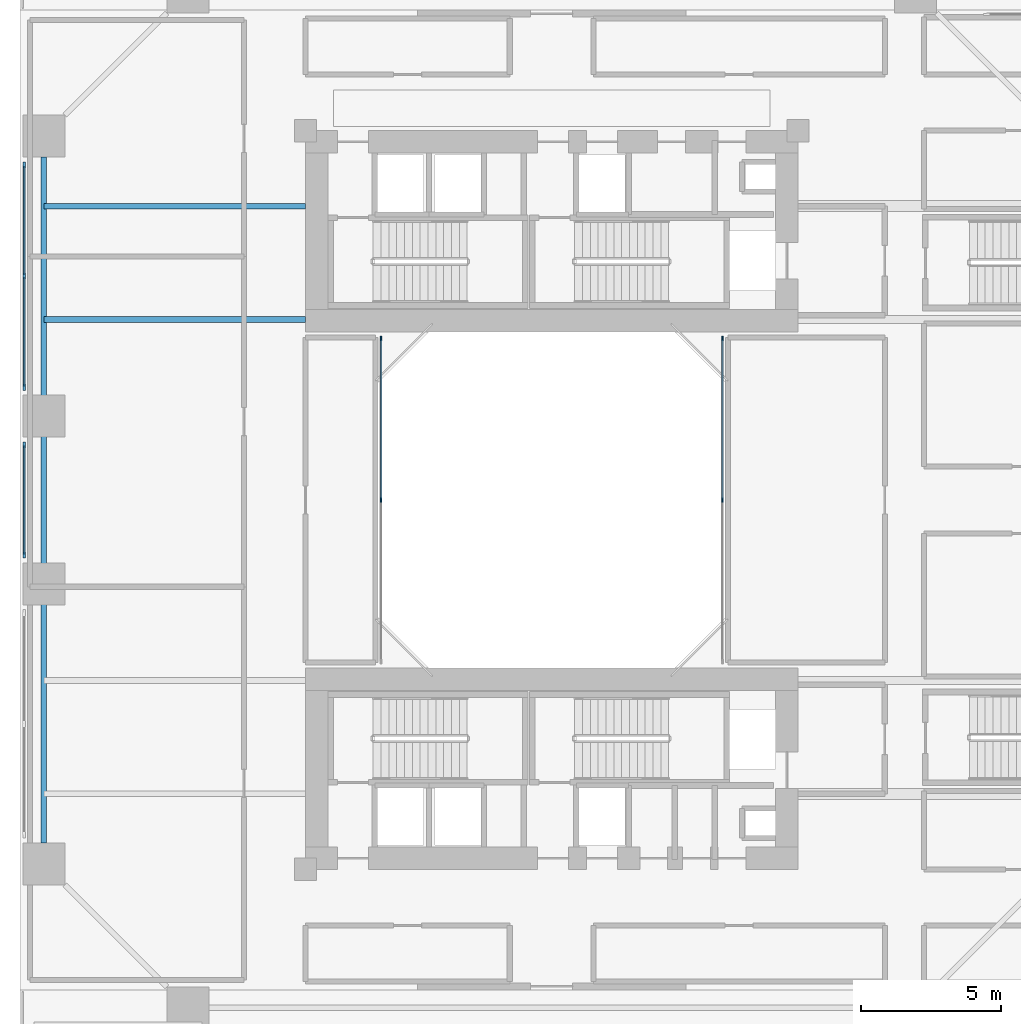
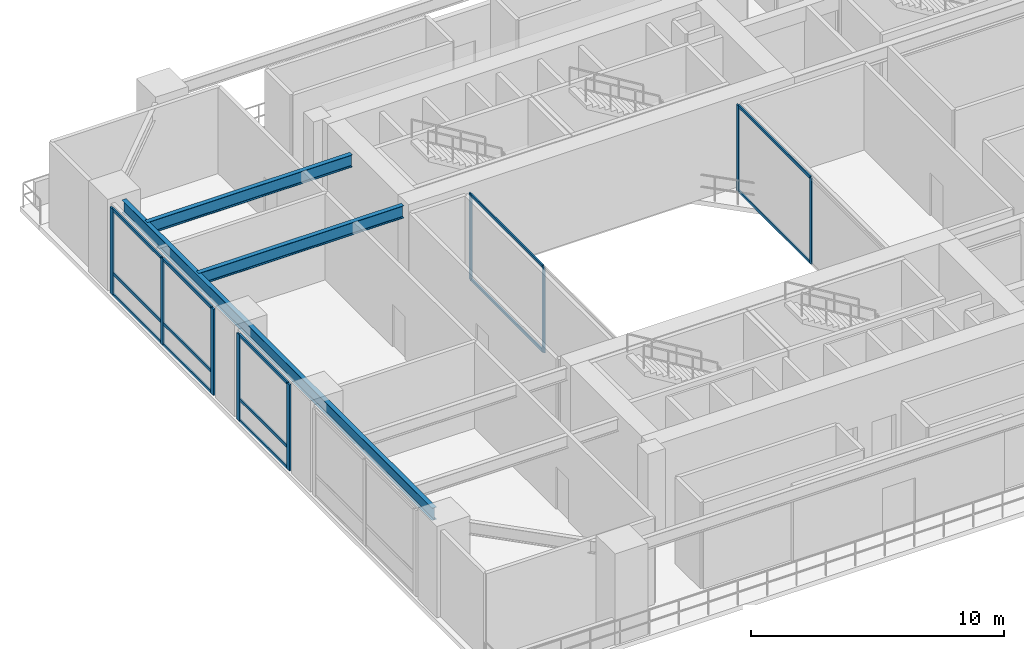
# One storey, part 4 of 20: 22 members, 3 beams, 4 elements without a shape of their own.
"""IFC4 building model written with IfcOpenShell, lengths in metres."""

from ifc_helpers import new_model, si_unit, direction, frame, origin, origin_2d, place, context, subcontext, project, spatial, rectangle, i_section, extrude, source, transform, mapped, material, layer, layer_set, material_profile, profile_set, type_object, element, aggregate, save


model = new_model("IFC4")

# Units and contexts
model_context = context("Model", 3, precision=1e-05, world=origin(), true_north=direction((0.0, 1.0)))
body_context = subcontext(model_context, "Body", "Model", "MODEL_VIEW")
ifc_project = project(units=[si_unit("LENGTHUNIT", "METRE"), si_unit("AREAUNIT", "SQUARE_METRE"), si_unit("VOLUMEUNIT", "CUBIC_METRE"), si_unit("PLANEANGLEUNIT", "RADIAN"), si_unit("MASSUNIT", "GRAM", prefix="KILO"), si_unit("THERMODYNAMICTEMPERATUREUNIT", "KELVIN"), si_unit("POWERUNIT", "WATT")], contexts=[model_context])

# Site, building, storey
site_placement = place(None, origin())
site = spatial("IfcSite", under=ifc_project, at=site_placement, CompositionType="ELEMENT")
building_placement = place(site_placement, origin())
building = spatial("IfcBuilding", under=site, at=building_placement, Name="Qiaomeng Ring Towers", CompositionType="ELEMENT")
storey_placement = place(building_placement, frame((0.0, 0.0, 13.800048828125)))
storey = spatial("IfcBuildingStorey", under=building, at=storey_placement, Name="L03", CompositionType="ELEMENT", Elevation=13.800048828125)

# Beams
ifc_material_1 = material(Name="Steel Q355B", Category="steel")
ifc_material_profile_1 = material_profile(ifc_material_1, i_section(OverallWidth=0.199951171875, OverallDepth=0.60009765625, WebThickness=0.010986328125, FlangeThickness=0.01708984375, FilletRadius=0.02197265625, at=origin_2d()), Name="HN 600x200x11x17")
ifc_profile_set_1 = profile_set([ifc_material_profile_1], Name="Steel Q355B")
beam_type = type_object("IfcBeamType", Name="STR-BM-HN600", PredefinedType="BEAM", material=ifc_profile_set_1)
shared_shape_1 = source(origin(), body_context, "Body", "SweptSolid", [
    extrude(i_section(OverallWidth=0.199951171875, OverallDepth=0.60009765625, WebThickness=0.010986328125, FlangeThickness=0.01708984375, FilletRadius=0.02197265625, at=origin_2d()), origin(), (0.0, 0.0, 1.0), 24.501953125),
])
beam_placement = place(storey_placement, frame((0.85009765625, 10.7490234375, 3.849853515625), z_axis=(0.0, 1.0, 0.0), x_axis=(-1.0, 0.0, 0.0)))
element("IfcBeam", 1, at=beam_placement, inside=storey, type_object=beam_type, Name="L03 beam STR-SP-L03-WL", PredefinedType="BEAM", context=body_context, shape_type="MappedRepresentation", body=[
    mapped(shared_shape_1, transform((0.0, 0.0, 0.0), x_axis=(1.0, 0.0, 0.0), y_axis=(0.0, 1.0, 0.0), z_axis=(0.0, 0.0, 1.0), scale=1.0)),
])
shared_shape_2 = source(origin(), body_context, "Body", "SweptSolid", [
    extrude(i_section(OverallWidth=0.199951171875, OverallDepth=0.60009765625, WebThickness=0.010986328125, FlangeThickness=0.01708984375, FilletRadius=0.02197265625, at=origin_2d()), origin(), (0.0, 0.0, 1.0), 9.349853515625),
])
for number, where, z_axis, x_axis, name in (
    (2, (0.85009765625, 29.449951171875, 3.849853515625), (1.0, 0.0, 0.0), (0.0, 1.0, 0.0), "L03 beam STR-BM-L03-W-2"),
    (3, (0.85009765625, 33.5, 3.849853515625), (1.0, 0.0, 0.0), (0.0, 1.0, 0.0), "L03 beam STR-BM-L03-W-3"),
):
    element("IfcBeam", number, at=place(storey_placement, frame(where, z_axis=z_axis, x_axis=x_axis)), inside=storey, type_object=beam_type, Name=name, PredefinedType="BEAM", context=body_context, shape_type="MappedRepresentation", body=[
        mapped(shared_shape_2, transform((0.0, 0.0, 0.0), x_axis=(1.0, 0.0, 0.0), y_axis=(0.0, 1.0, 0.0), z_axis=(0.0, 0.0, 1.0), scale=1.0)),
    ])

# Curtain wall, members
ifc_material_2 = material(Name="Fluorocarbon dark-grey aluminium", Category="aluminium")
ifc_layer_1 = layer(ifc_material_2, 0.179931640625, Name="Fluorocarbon dark-grey aluminium")
ifc_layer_set_1 = layer_set([ifc_layer_1], Name="Fluorocarbon dark-grey aluminium")
curtain_wall_type_1 = type_object("IfcCurtainWallType", Name="ARC-CW-1", PredefinedType="NOTDEFINED", material=ifc_layer_set_1)
curtain_wall_1_placement = place(storey_placement, origin())
curtain_wall_1 = element("IfcCurtainWall", 4, at=curtain_wall_1_placement, inside=storey, type_object=curtain_wall_type_1, Name="L03 Curtain Wall CW1", PredefinedType="NOTDEFINED")
ifc_material_profile_2 = material_profile(ifc_material_2, rectangle(XDim=0.070068359375, YDim=0.139892578125, at=origin_2d()), Name="ALU TRAN 70x140")
ifc_profile_set_2 = profile_set([ifc_material_profile_2], Name="Fluorocarbon dark-grey aluminium")
member_type_1 = type_object("IfcMemberType", Name="ARC-CWT-140", PredefinedType="USERDEFINED", material=ifc_profile_set_2)
shared_shape_3 = source(origin(), body_context, "Body", "SweptSolid", [
    extrude(rectangle(XDim=0.070068359375, YDim=0.139892578125, at=origin_2d()), origin(), (0.0, 0.0, 1.0), 3.889892578125),
])
member_1_placement = place(storey_placement, frame((0.14990234375, 27.070068359375, 0.034912109375), z_axis=(0.0, 1.0, 0.0), x_axis=(-1.0, 0.0, 0.0)))
member_1 = element("IfcMember", 5, at=member_1_placement, type_object=member_type_1, Name="CW1 transom 1.1", ObjectType="TRANSOM", PredefinedType="USERDEFINED", context=body_context, shape_type="MappedRepresentation", body=[
    mapped(shared_shape_3, transform((0.0, 0.0, 0.0), x_axis=(1.0, 0.0, 0.0), y_axis=(0.0, 1.0, 0.0), z_axis=(0.0, 0.0, 1.0), scale=1.0)),
])
member_2_placement = place(storey_placement, frame((0.14990234375, 27.070068359375, 1.050048828125), z_axis=(0.0, 1.0, 0.0), x_axis=(-1.0, 0.0, 0.0)))
member_2 = element("IfcMember", 6, at=member_2_placement, type_object=member_type_1, Name="CW1 transom 1.2", ObjectType="TRANSOM", PredefinedType="USERDEFINED", context=body_context, shape_type="MappedRepresentation", body=[
    mapped(shared_shape_3, transform((0.0, 0.0, 0.0), x_axis=(1.0, 0.0, 0.0), y_axis=(0.0, 1.0, 0.0), z_axis=(0.0, 0.0, 1.0), scale=1.0)),
])
member_3_placement = place(storey_placement, frame((0.14990234375, 27.070068359375, 4.114990234375), z_axis=(0.0, 1.0, 0.0), x_axis=(-1.0, 0.0, 0.0)))
member_3 = element("IfcMember", 7, at=member_3_placement, type_object=member_type_1, Name="CW1 transom 1.3", ObjectType="TRANSOM", PredefinedType="USERDEFINED", context=body_context, shape_type="MappedRepresentation", body=[
    mapped(shared_shape_3, transform((0.0, 0.0, 0.0), x_axis=(1.0, 0.0, 0.0), y_axis=(0.0, 1.0, 0.0), z_axis=(0.0, 0.0, 1.0), scale=1.0)),
])
member_4_placement = place(storey_placement, frame((0.14990234375, 31.0400390625, 0.034912109375), z_axis=(0.0, 1.0, 0.0), x_axis=(-1.0, 0.0, 0.0)))
member_4 = element("IfcMember", 8, at=member_4_placement, type_object=member_type_1, Name="CW1 transom 2.1", ObjectType="TRANSOM", PredefinedType="USERDEFINED", context=body_context, shape_type="MappedRepresentation", body=[
    mapped(shared_shape_3, transform((0.0, 0.0, 0.0), x_axis=(1.0, 0.0, 0.0), y_axis=(0.0, 1.0, 0.0), z_axis=(0.0, 0.0, 1.0), scale=1.0)),
])
member_5_placement = place(storey_placement, frame((0.14990234375, 31.0400390625, 1.050048828125), z_axis=(0.0, 1.0, 0.0), x_axis=(-1.0, 0.0, 0.0)))
member_5 = element("IfcMember", 9, at=member_5_placement, type_object=member_type_1, Name="CW1 transom 2.2", ObjectType="TRANSOM", PredefinedType="USERDEFINED", context=body_context, shape_type="MappedRepresentation", body=[
    mapped(shared_shape_3, transform((0.0, 0.0, 0.0), x_axis=(1.0, 0.0, 0.0), y_axis=(0.0, 1.0, 0.0), z_axis=(0.0, 0.0, 1.0), scale=1.0)),
])
member_6_placement = place(storey_placement, frame((0.14990234375, 31.0400390625, 4.114990234375), z_axis=(0.0, 1.0, 0.0), x_axis=(-1.0, 0.0, 0.0)))
member_6 = element("IfcMember", 10, at=member_6_placement, type_object=member_type_1, Name="CW1 transom 2.3", ObjectType="TRANSOM", PredefinedType="USERDEFINED", context=body_context, shape_type="MappedRepresentation", body=[
    mapped(shared_shape_3, transform((0.0, 0.0, 0.0), x_axis=(1.0, 0.0, 0.0), y_axis=(0.0, 1.0, 0.0), z_axis=(0.0, 0.0, 1.0), scale=1.0)),
])

curtain_wall_2_placement = place(storey_placement, origin())
curtain_wall_2 = element("IfcCurtainWall", 11, at=curtain_wall_2_placement, inside=storey, type_object=curtain_wall_type_1, Name="L03 Curtain Wall CW1", PredefinedType="NOTDEFINED")
shared_shape_4 = source(origin(), body_context, "Body", "SweptSolid", [
    extrude(rectangle(XDim=0.070068359375, YDim=0.139892578125, at=origin_2d()), origin(), (0.0, 0.0, 1.0), 3.85986328125),
])
member_7_placement = place(storey_placement, frame((0.14990234375, 21.070068359375, 0.034912109375), z_axis=(0.0, 1.0, 0.0), x_axis=(-1.0, 0.0, 0.0)))
member_7 = element("IfcMember", 12, at=member_7_placement, type_object=member_type_1, Name="CW1 transom 1.1", ObjectType="TRANSOM", PredefinedType="USERDEFINED", context=body_context, shape_type="MappedRepresentation", body=[
    mapped(shared_shape_4, transform((0.0, 0.0, 0.0), x_axis=(1.0, 0.0, 0.0), y_axis=(0.0, 1.0, 0.0), z_axis=(0.0, 0.0, 1.0), scale=1.0)),
])
member_8_placement = place(storey_placement, frame((0.14990234375, 21.070068359375, 1.050048828125), z_axis=(0.0, 1.0, 0.0), x_axis=(-1.0, 0.0, 0.0)))
member_8 = element("IfcMember", 13, at=member_8_placement, type_object=member_type_1, Name="CW1 transom 1.2", ObjectType="TRANSOM", PredefinedType="USERDEFINED", context=body_context, shape_type="MappedRepresentation", body=[
    mapped(shared_shape_4, transform((0.0, 0.0, 0.0), x_axis=(1.0, 0.0, 0.0), y_axis=(0.0, 1.0, 0.0), z_axis=(0.0, 0.0, 1.0), scale=1.0)),
])
member_9_placement = place(storey_placement, frame((0.14990234375, 21.070068359375, 4.114990234375), z_axis=(0.0, 1.0, 0.0), x_axis=(-1.0, 0.0, 0.0)))
member_9 = element("IfcMember", 14, at=member_9_placement, type_object=member_type_1, Name="CW1 transom 1.3", ObjectType="TRANSOM", PredefinedType="USERDEFINED", context=body_context, shape_type="MappedRepresentation", body=[
    mapped(shared_shape_4, transform((0.0, 0.0, 0.0), x_axis=(1.0, 0.0, 0.0), y_axis=(0.0, 1.0, 0.0), z_axis=(0.0, 0.0, 1.0), scale=1.0)),
])

ifc_layer_2 = layer(ifc_material_2, 0.139892578125, Name="Fluorocarbon dark-grey aluminium")
ifc_layer_set_2 = layer_set([ifc_layer_2], Name="Fluorocarbon dark-grey aluminium")
curtain_wall_type_2 = type_object("IfcCurtainWallType", Name="ARC-CW-4", PredefinedType="NOTDEFINED", material=ifc_layer_set_2)
curtain_wall_3_placement = place(storey_placement, origin())
curtain_wall_3 = element("IfcCurtainWall", 15, at=curtain_wall_3_placement, inside=storey, type_object=curtain_wall_type_2, Name="L03 Curtain Wall CW4", PredefinedType="NOTDEFINED")
ifc_material_profile_3 = material_profile(ifc_material_2, rectangle(XDim=0.06494140625, YDim=0.1298828125, at=origin_2d()), Name="ALU TRAN 65x130")
ifc_profile_set_3 = profile_set([ifc_material_profile_3], Name="Fluorocarbon dark-grey aluminium")
member_type_2 = type_object("IfcMemberType", Name="ARC-CWT-120", PredefinedType="USERDEFINED", material=ifc_profile_set_3)
shared_shape_5 = source(origin(), body_context, "Body", "SweptSolid", [
    extrude(rectangle(XDim=0.06494140625, YDim=0.1298828125, at=origin_2d()), origin(), (0.0, 0.0, 1.0), 5.70263671875),
])
member_10_placement = place(storey_placement, frame((12.89990234375, 23.032470703125, 0.032470703125), z_axis=(0.0, 1.0, 0.0), x_axis=(-1.0, 0.0, 0.0)))
member_10 = element("IfcMember", 16, at=member_10_placement, type_object=member_type_2, Name="CW4 transom 2.1", ObjectType="TRANSOM", PredefinedType="USERDEFINED", context=body_context, shape_type="MappedRepresentation", body=[
    mapped(shared_shape_5, transform((0.0, 0.0, 0.0), x_axis=(1.0, 0.0, 0.0), y_axis=(0.0, 1.0, 0.0), z_axis=(0.0, 0.0, 1.0), scale=1.0)),
])
member_11_placement = place(storey_placement, frame((12.89990234375, 23.032470703125, 4.117431640625), z_axis=(0.0, 1.0, 0.0), x_axis=(-1.0, 0.0, 0.0)))
member_11 = element("IfcMember", 17, at=member_11_placement, type_object=member_type_2, Name="CW4 transom 2.2", ObjectType="TRANSOM", PredefinedType="USERDEFINED", context=body_context, shape_type="MappedRepresentation", body=[
    mapped(shared_shape_5, transform((0.0, 0.0, 0.0), x_axis=(1.0, 0.0, 0.0), y_axis=(0.0, 1.0, 0.0), z_axis=(0.0, 0.0, 1.0), scale=1.0)),
])

curtain_wall_4_placement = place(storey_placement, origin())
curtain_wall_4 = element("IfcCurtainWall", 18, at=curtain_wall_4_placement, inside=storey, type_object=curtain_wall_type_2, Name="L03 Curtain Wall CW4", PredefinedType="NOTDEFINED")
member_12_placement = place(storey_placement, frame((25.10009765625, 23.032470703125, 0.032470703125), z_axis=(0.0, 1.0, 0.0), x_axis=(-1.0, 0.0, 0.0)))
member_12 = element("IfcMember", 19, at=member_12_placement, type_object=member_type_2, Name="CW4 transom 2.1", ObjectType="TRANSOM", PredefinedType="USERDEFINED", context=body_context, shape_type="MappedRepresentation", body=[
    mapped(shared_shape_5, transform((0.0, 0.0, 0.0), x_axis=(1.0, 0.0, 0.0), y_axis=(0.0, 1.0, 0.0), z_axis=(0.0, 0.0, 1.0), scale=1.0)),
])
member_13_placement = place(storey_placement, frame((25.10009765625, 23.032470703125, 4.117431640625), z_axis=(0.0, 1.0, 0.0), x_axis=(-1.0, 0.0, 0.0)))
member_13 = element("IfcMember", 20, at=member_13_placement, type_object=member_type_2, Name="CW4 transom 2.2", ObjectType="TRANSOM", PredefinedType="USERDEFINED", context=body_context, shape_type="MappedRepresentation", body=[
    mapped(shared_shape_5, transform((0.0, 0.0, 0.0), x_axis=(1.0, 0.0, 0.0), y_axis=(0.0, 1.0, 0.0), z_axis=(0.0, 0.0, 1.0), scale=1.0)),
])

# Member
ifc_material_profile_4 = material_profile(ifc_material_2, rectangle(XDim=0.080078125, YDim=0.219970703125, at=origin_2d()), Name="ALU MULL 80x220")
ifc_profile_set_4 = profile_set([ifc_material_profile_4], Name="Fluorocarbon dark-grey aluminium")
member_type_3 = type_object("IfcMemberType", Name="ARC-CWM-180", PredefinedType="MULLION", material=ifc_profile_set_4)
shared_shape_6 = source(origin(), body_context, "Body", "SweptSolid", [
    extrude(rectangle(XDim=0.080078125, YDim=0.219970703125, at=origin_2d()), origin(), (0.0, 0.0, 1.0), 4.14990234375),
])
member_14_placement = place(storey_placement, frame((0.14990234375, 21.030029296875, 0.0), z_axis=(0.0, 0.0, 1.0), x_axis=(-1.0, 0.0, 0.0)))
member_14 = element("IfcMember", 21, at=member_14_placement, type_object=member_type_3, Name="CW1 mullion 1", PredefinedType="MULLION", context=body_context, shape_type="MappedRepresentation", body=[
    mapped(shared_shape_6, transform((0.0, 0.0, 0.0), x_axis=(1.0, 0.0, 0.0), y_axis=(0.0, 1.0, 0.0), z_axis=(0.0, 0.0, 1.0), scale=1.0)),
])

member_15_placement = place(storey_placement, frame((0.14990234375, 24.969970703125, 0.0), z_axis=(0.0, 0.0, 1.0), x_axis=(-1.0, 0.0, 0.0)))
member_15 = element("IfcMember", 22, at=member_15_placement, type_object=member_type_3, Name="CW1 mullion 2", PredefinedType="MULLION", context=body_context, shape_type="MappedRepresentation", body=[
    mapped(shared_shape_6, transform((0.0, 0.0, 0.0), x_axis=(1.0, 0.0, 0.0), y_axis=(0.0, 1.0, 0.0), z_axis=(0.0, 0.0, 1.0), scale=1.0)),
])

aggregate(curtain_wall_2, [member_14, member_15, member_7, member_8, member_9])

member_16_placement = place(storey_placement, frame((0.14990234375, 27.030029296875, 0.0), z_axis=(0.0, 0.0, 1.0), x_axis=(-1.0, 0.0, 0.0)))
member_16 = element("IfcMember", 23, at=member_16_placement, type_object=member_type_3, Name="CW1 mullion 1", PredefinedType="MULLION", context=body_context, shape_type="MappedRepresentation", body=[
    mapped(shared_shape_6, transform((0.0, 0.0, 0.0), x_axis=(1.0, 0.0, 0.0), y_axis=(0.0, 1.0, 0.0), z_axis=(0.0, 0.0, 1.0), scale=1.0)),
])

member_17_placement = place(storey_placement, frame((0.14990234375, 31.0, 0.0), z_axis=(0.0, 0.0, 1.0), x_axis=(-1.0, 0.0, 0.0)))
member_17 = element("IfcMember", 24, at=member_17_placement, type_object=member_type_3, Name="CW1 mullion 2", PredefinedType="MULLION", context=body_context, shape_type="MappedRepresentation", body=[
    mapped(shared_shape_6, transform((0.0, 0.0, 0.0), x_axis=(1.0, 0.0, 0.0), y_axis=(0.0, 1.0, 0.0), z_axis=(0.0, 0.0, 1.0), scale=1.0)),
])

member_18_placement = place(storey_placement, frame((0.14990234375, 34.969970703125, 0.0), z_axis=(0.0, 0.0, 1.0), x_axis=(-1.0, 0.0, 0.0)))
member_18 = element("IfcMember", 25, at=member_18_placement, type_object=member_type_3, Name="CW1 mullion 3", PredefinedType="MULLION", context=body_context, shape_type="MappedRepresentation", body=[
    mapped(shared_shape_6, transform((0.0, 0.0, 0.0), x_axis=(1.0, 0.0, 0.0), y_axis=(0.0, 1.0, 0.0), z_axis=(0.0, 0.0, 1.0), scale=1.0)),
])

aggregate(curtain_wall_1, [member_16, member_17, member_18, member_1, member_2, member_3, member_4, member_5, member_6])

ifc_material_profile_5 = material_profile(ifc_material_2, rectangle(XDim=0.06494140625, YDim=0.159912109375, at=origin_2d()), Name="ALU MULL 65x160")
ifc_profile_set_5 = profile_set([ifc_material_profile_5], Name="Fluorocarbon dark-grey aluminium")
member_type_4 = type_object("IfcMemberType", Name="ARC-CWM-140", PredefinedType="MULLION", material=ifc_profile_set_5)
shared_shape_7 = source(origin(), body_context, "Body", "SweptSolid", [
    extrude(rectangle(XDim=0.06494140625, YDim=0.159912109375, at=origin_2d()), origin(), (0.0, 0.0, 1.0), 4.14990234375),
])
member_19_placement = place(storey_placement, frame((12.89990234375, 23.0, 0.0), z_axis=(0.0, 0.0, 1.0), x_axis=(-1.0, 0.0, 0.0)))
member_19 = element("IfcMember", 26, at=member_19_placement, type_object=member_type_4, Name="CW4 mullion 2", PredefinedType="MULLION", context=body_context, shape_type="MappedRepresentation", body=[
    mapped(shared_shape_7, transform((0.0, 0.0, 0.0), x_axis=(1.0, 0.0, 0.0), y_axis=(0.0, 1.0, 0.0), z_axis=(0.0, 0.0, 1.0), scale=1.0)),
])

member_20_placement = place(storey_placement, frame((12.89990234375, 28.767578125, 0.0), z_axis=(0.0, 0.0, 1.0), x_axis=(-1.0, 0.0, 0.0)))
member_20 = element("IfcMember", 27, at=member_20_placement, type_object=member_type_4, Name="CW4 mullion 3", PredefinedType="MULLION", context=body_context, shape_type="MappedRepresentation", body=[
    mapped(shared_shape_7, transform((0.0, 0.0, 0.0), x_axis=(1.0, 0.0, 0.0), y_axis=(0.0, 1.0, 0.0), z_axis=(0.0, 0.0, 1.0), scale=1.0)),
])

aggregate(curtain_wall_3, [member_19, member_20, member_10, member_11])

member_21_placement = place(storey_placement, frame((25.10009765625, 23.0, 0.0), z_axis=(0.0, 0.0, 1.0), x_axis=(-1.0, 0.0, 0.0)))
member_21 = element("IfcMember", 28, at=member_21_placement, type_object=member_type_4, Name="CW4 mullion 2", PredefinedType="MULLION", context=body_context, shape_type="MappedRepresentation", body=[
    mapped(shared_shape_7, transform((0.0, 0.0, 0.0), x_axis=(1.0, 0.0, 0.0), y_axis=(0.0, 1.0, 0.0), z_axis=(0.0, 0.0, 1.0), scale=1.0)),
])

member_22_placement = place(storey_placement, frame((25.10009765625, 28.767578125, 0.0), z_axis=(0.0, 0.0, 1.0), x_axis=(-1.0, 0.0, 0.0)))
member_22 = element("IfcMember", 29, at=member_22_placement, type_object=member_type_4, Name="CW4 mullion 3", PredefinedType="MULLION", context=body_context, shape_type="MappedRepresentation", body=[
    mapped(shared_shape_7, transform((0.0, 0.0, 0.0), x_axis=(1.0, 0.0, 0.0), y_axis=(0.0, 1.0, 0.0), z_axis=(0.0, 0.0, 1.0), scale=1.0)),
])

aggregate(curtain_wall_4, [member_21, member_22, member_12, member_13])

save(model, "model.ifc")
